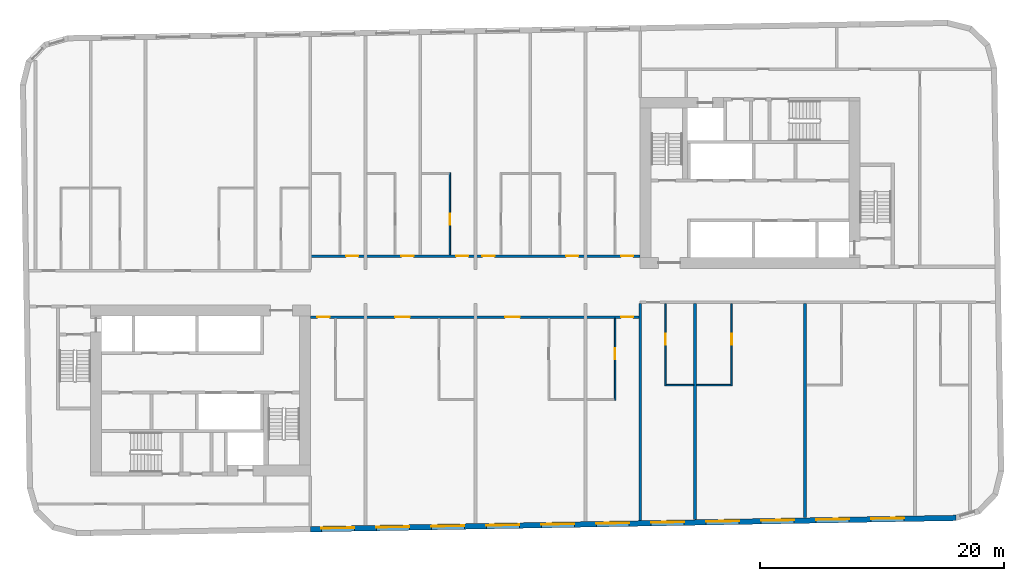
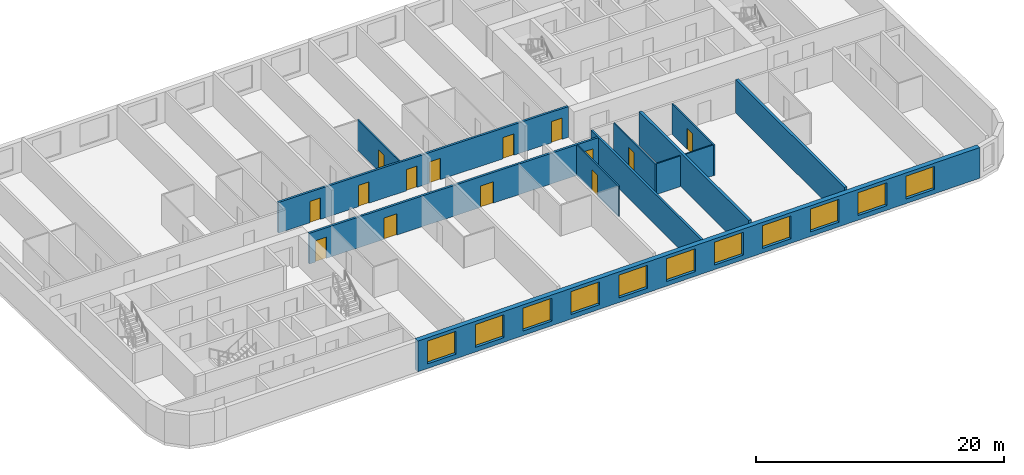
# One storey, part 4 of 11: 14 doors, 12 walls, 11 windows, 25 openings.
"""IFC4 building model written with IfcOpenShell, lengths in metres."""

from ifc_helpers import new_model, si_unit, direction, frame, frame_2d, origin, place, context, subcontext, project, spatial, rectangle, extrude, material, layer, layer_set, type_object, element, fill, save


model = new_model("IFC4")

# Units and contexts
model_context = context("Model", 3, precision=1e-05, world=origin(), true_north=direction((0.0, 1.0)))
body_context = subcontext(model_context, "Body", "Model", "MODEL_VIEW")
ifc_project = project(units=[si_unit("LENGTHUNIT", "METRE"), si_unit("AREAUNIT", "SQUARE_METRE"), si_unit("VOLUMEUNIT", "CUBIC_METRE"), si_unit("PLANEANGLEUNIT", "RADIAN"), si_unit("MASSUNIT", "GRAM", prefix="KILO")], contexts=[model_context])

# Site, building, storey
site_placement = place(None, origin())
site = spatial("IfcSite", under=ifc_project, at=site_placement, CompositionType="ELEMENT")
building_placement = place(site_placement, origin())
building = spatial("IfcBuilding", under=site, at=building_placement, Name="Kajstack Hotel Tower", CompositionType="ELEMENT")
storey_placement = place(building_placement, frame((0.0, 0.0, 224.300048828125)))
storey = spatial("IfcBuildingStorey", under=building, at=storey_placement, Name="L54", CompositionType="ELEMENT", Elevation=224.300048828125)

# Wall, openings, doors
ifc_material_1 = material(Name="Gypsum board on steel studs, mineral wool", Category="steel")
ifc_layer_1 = layer(ifc_material_1, 0.199951171875)
ifc_layer_set_1 = layer_set([ifc_layer_1], Name="Corridor wall 200")
wall_type_1 = type_object("IfcWallType", Name="Corridor wall 200", PredefinedType="PARTITIONING", material=ifc_layer_set_1)
wall_1_placement = place(storey_placement, frame((-13.5, 2.5, 0.0), z_axis=(0.0, 0.0, 1.0), x_axis=(1.0, 0.0, 0.0)))
wall_1 = element("IfcWall", 1, at=wall_1_placement, inside=storey, type_object=wall_type_1, Name="G-wall-L54-004", PredefinedType="PARTITIONING", context=body_context, shape_type="SweptSolid", body=[
    extrude(rectangle(XDim=27.0, YDim=0.199951171875, at=frame_2d((13.5, 0.0))), origin(), (0.0, 0.0, 1.0), 3.02001953125),
])
opening_1_placement = place(wall_1_placement, frame((2.925048828125, 0.0, 0.0)))
opening_1 = element("IfcOpeningElement", 2, at=opening_1_placement, cuts=wall_1, Name="Opening 54009", PredefinedType="OPENING", context=body_context, shape_type="SweptSolid", body=[
    extrude(rectangle(XDim=1.0, YDim=2.10009765625, at=frame_2d((0.5, 1.050048828125))), frame((0.0, 0.10986328125, 0.0), z_axis=(0.0, -1.0, 0.0), x_axis=(1.0, 0.0, 0.0)), (0.0, 0.0, 1.0), 0.219970703125),
])
opening_2_placement = place(wall_1_placement, frame((7.449951171875, 0.0, 0.0)))
opening_2 = element("IfcOpeningElement", 3, at=opening_2_placement, cuts=wall_1, Name="Opening 54011", PredefinedType="OPENING", context=body_context, shape_type="SweptSolid", body=[
    extrude(rectangle(XDim=1.0, YDim=2.10009765625, at=frame_2d((0.5, 1.050048828125))), frame((0.0, 0.10986328125, 0.0), z_axis=(0.0, -1.0, 0.0), x_axis=(1.0, 0.0, 0.0)), (0.0, 0.0, 1.0), 0.219970703125),
])
opening_3_placement = place(wall_1_placement, frame((11.925048828125, 0.0, 0.0)))
opening_3 = element("IfcOpeningElement", 4, at=opening_3_placement, cuts=wall_1, Name="Opening 54013", PredefinedType="OPENING", context=body_context, shape_type="SweptSolid", body=[
    extrude(rectangle(XDim=1.0, YDim=2.10009765625, at=frame_2d((0.5, 1.050048828125))), frame((0.0, 0.10986328125, 0.0), z_axis=(0.0, -1.0, 0.0), x_axis=(1.0, 0.0, 0.0)), (0.0, 0.0, 1.0), 0.219970703125),
])
opening_4_placement = place(wall_1_placement, frame((14.074951171875, 0.0, 0.0)))
opening_4 = element("IfcOpeningElement", 5, at=opening_4_placement, cuts=wall_1, Name="Opening 54015", PredefinedType="OPENING", context=body_context, shape_type="SweptSolid", body=[
    extrude(rectangle(XDim=1.0, YDim=2.10009765625, at=frame_2d((0.5, 1.050048828125))), frame((0.0, 0.10986328125, 0.0), z_axis=(0.0, -1.0, 0.0), x_axis=(1.0, 0.0, 0.0)), (0.0, 0.0, 1.0), 0.219970703125),
])
opening_5_placement = place(wall_1_placement, frame((20.925048828125, 0.0, 0.0)))
opening_5 = element("IfcOpeningElement", 6, at=opening_5_placement, cuts=wall_1, Name="Opening 54017", PredefinedType="OPENING", context=body_context, shape_type="SweptSolid", body=[
    extrude(rectangle(XDim=1.0, YDim=2.10009765625, at=frame_2d((0.5, 1.050048828125))), frame((0.0, 0.10986328125, 0.0), z_axis=(0.0, -1.0, 0.0), x_axis=(1.0, 0.0, 0.0)), (0.0, 0.0, 1.0), 0.219970703125),
])
opening_6_placement = place(wall_1_placement, frame((25.425048828125, 0.0, 0.0)))
opening_6 = element("IfcOpeningElement", 7, at=opening_6_placement, cuts=wall_1, Name="Opening 54019", PredefinedType="OPENING", context=body_context, shape_type="SweptSolid", body=[
    extrude(rectangle(XDim=1.0, YDim=2.10009765625, at=frame_2d((0.5, 1.050048828125))), frame((0.0, 0.10986328125, 0.0), z_axis=(0.0, -1.0, 0.0), x_axis=(1.0, 0.0, 0.0)), (0.0, 0.0, 1.0), 0.219970703125),
])
ifc_material_2 = material(Name="Oak veneer on timber core, fire-rated leaf", Category="wood")
door_type_1 = type_object("IfcDoorType", Name="Flat entrance door 1000", OperationType="SINGLE_SWING_LEFT", PredefinedType="DOOR", material=ifc_material_2)
door_1_placement = place(opening_1_placement, origin())
door_1 = element("IfcDoor", 8, at=door_1_placement, inside=storey, type_object=door_type_1, Name="G-door-L54-09", OperationType="SINGLE_SWING_RIGHT", OverallHeight=2.10009765625, OverallWidth=1.0, PredefinedType="DOOR", context=body_context, shape_type="SweptSolid", body=[
    extrude(rectangle(XDim=1.0, YDim=2.10009765625, at=frame_2d((0.5, 1.050048828125))), frame((0.0, 0.02490234375, 0.0), z_axis=(0.0, -1.0, 0.0), x_axis=(1.0, 0.0, 0.0)), (0.0, 0.0, 1.0), 0.050048828125),
])
fill(opening_1, door_1)
door_2_placement = place(opening_2_placement, origin())
door_2 = element("IfcDoor", 9, at=door_2_placement, inside=storey, type_object=door_type_1, Name="G-door-L54-11", OperationType="SINGLE_SWING_LEFT", OverallHeight=2.10009765625, OverallWidth=1.0, PredefinedType="DOOR", context=body_context, shape_type="SweptSolid", body=[
    extrude(rectangle(XDim=1.0, YDim=2.10009765625, at=frame_2d((0.5, 1.050048828125))), frame((0.0, 0.02490234375, 0.0), z_axis=(0.0, -1.0, 0.0), x_axis=(1.0, 0.0, 0.0)), (0.0, 0.0, 1.0), 0.050048828125),
])
fill(opening_2, door_2)
door_3_placement = place(opening_3_placement, origin())
door_3 = element("IfcDoor", 10, at=door_3_placement, inside=storey, type_object=door_type_1, Name="G-door-L54-13", OperationType="SINGLE_SWING_LEFT", OverallHeight=2.10009765625, OverallWidth=1.0, PredefinedType="DOOR", context=body_context, shape_type="SweptSolid", body=[
    extrude(rectangle(XDim=1.0, YDim=2.10009765625, at=frame_2d((0.5, 1.050048828125))), frame((0.0, 0.02490234375, 0.0), z_axis=(0.0, -1.0, 0.0), x_axis=(1.0, 0.0, 0.0)), (0.0, 0.0, 1.0), 0.050048828125),
])
fill(opening_3, door_3)
door_4_placement = place(opening_4_placement, origin())
door_4 = element("IfcDoor", 11, at=door_4_placement, inside=storey, type_object=door_type_1, Name="G-door-L54-15", OperationType="SINGLE_SWING_RIGHT", OverallHeight=2.10009765625, OverallWidth=1.0, PredefinedType="DOOR", context=body_context, shape_type="SweptSolid", body=[
    extrude(rectangle(XDim=1.0, YDim=2.10009765625, at=frame_2d((0.5, 1.050048828125))), frame((0.0, 0.02490234375, 0.0), z_axis=(0.0, -1.0, 0.0), x_axis=(1.0, 0.0, 0.0)), (0.0, 0.0, 1.0), 0.050048828125),
])
fill(opening_4, door_4)
door_5_placement = place(opening_5_placement, origin())
door_5 = element("IfcDoor", 12, at=door_5_placement, inside=storey, type_object=door_type_1, Name="G-door-L54-17", OperationType="SINGLE_SWING_RIGHT", OverallHeight=2.10009765625, OverallWidth=1.0, PredefinedType="DOOR", context=body_context, shape_type="SweptSolid", body=[
    extrude(rectangle(XDim=1.0, YDim=2.10009765625, at=frame_2d((0.5, 1.050048828125))), frame((0.0, 0.02490234375, 0.0), z_axis=(0.0, -1.0, 0.0), x_axis=(1.0, 0.0, 0.0)), (0.0, 0.0, 1.0), 0.050048828125),
])
fill(opening_5, door_5)
door_6_placement = place(opening_6_placement, origin())
door_6 = element("IfcDoor", 13, at=door_6_placement, inside=storey, type_object=door_type_1, Name="G-door-L54-19", OperationType="SINGLE_SWING_LEFT", OverallHeight=2.10009765625, OverallWidth=1.0, PredefinedType="DOOR", context=body_context, shape_type="SweptSolid", body=[
    extrude(rectangle(XDim=1.0, YDim=2.10009765625, at=frame_2d((0.5, 1.050048828125))), frame((0.0, 0.02490234375, 0.0), z_axis=(0.0, -1.0, 0.0), x_axis=(1.0, 0.0, 0.0)), (0.0, 0.0, 1.0), 0.050048828125),
])
fill(opening_6, door_6)

wall_2_placement = place(storey_placement, frame((-13.5, -2.5, 0.0), z_axis=(0.0, 0.0, 1.0), x_axis=(1.0, 0.0, 0.0)))
wall_2 = element("IfcWall", 14, at=wall_2_placement, inside=storey, type_object=wall_type_1, Name="G-wall-L54-029", PredefinedType="PARTITIONING", context=body_context, shape_type="SweptSolid", body=[
    extrude(rectangle(XDim=27.0, YDim=0.199951171875, at=frame_2d((13.5, 0.0))), origin(), (0.0, 0.0, 1.0), 3.02001953125),
])
opening_7_placement = place(wall_2_placement, frame((0.574951171875, 0.0, 0.0)))
opening_7 = element("IfcOpeningElement", 15, at=opening_7_placement, cuts=wall_2, Name="Opening 54021", PredefinedType="OPENING", context=body_context, shape_type="SweptSolid", body=[
    extrude(rectangle(XDim=1.0, YDim=2.10009765625, at=frame_2d((0.5, 1.050048828125))), frame((0.0, 0.10986328125, 0.0), z_axis=(0.0, -1.0, 0.0), x_axis=(1.0, 0.0, 0.0)), (0.0, 0.0, 1.0), 0.219970703125),
])
opening_8_placement = place(wall_2_placement, frame((6.93798828125, 0.0, 0.0)))
opening_8 = element("IfcOpeningElement", 16, at=opening_8_placement, cuts=wall_2, Name="Opening 54023", PredefinedType="OPENING", context=body_context, shape_type="SweptSolid", body=[
    extrude(rectangle(XDim=1.199951171875, YDim=2.10009765625, at=frame_2d((0.60009765625, 1.050048828125))), frame((0.0, 0.10986328125, 0.0), z_axis=(0.0, -1.0, 0.0), x_axis=(1.0, 0.0, 0.0)), (0.0, 0.0, 1.0), 0.219970703125),
])
opening_9_placement = place(wall_2_placement, frame((15.93798828125, 0.0, 0.0)))
opening_9 = element("IfcOpeningElement", 17, at=opening_9_placement, cuts=wall_2, Name="Opening 54025", PredefinedType="OPENING", context=body_context, shape_type="SweptSolid", body=[
    extrude(rectangle(XDim=1.199951171875, YDim=2.10009765625, at=frame_2d((0.60009765625, 1.050048828125))), frame((0.0, 0.10986328125, 0.0), z_axis=(0.0, -1.0, 0.0), x_axis=(1.0, 0.0, 0.0)), (0.0, 0.0, 1.0), 0.219970703125),
])
opening_10_placement = place(wall_2_placement, frame((25.425048828125, 0.0, 0.0)))
opening_10 = element("IfcOpeningElement", 18, at=opening_10_placement, cuts=wall_2, Name="Opening 54027", PredefinedType="OPENING", context=body_context, shape_type="SweptSolid", body=[
    extrude(rectangle(XDim=1.0, YDim=2.10009765625, at=frame_2d((0.5, 1.050048828125))), frame((0.0, 0.10986328125, 0.0), z_axis=(0.0, -1.0, 0.0), x_axis=(1.0, 0.0, 0.0)), (0.0, 0.0, 1.0), 0.219970703125),
])
door_7_placement = place(opening_7_placement, origin())
door_7 = element("IfcDoor", 19, at=door_7_placement, inside=storey, type_object=door_type_1, Name="G-door-L54-21", OperationType="SINGLE_SWING_LEFT", OverallHeight=2.10009765625, OverallWidth=1.0, PredefinedType="DOOR", context=body_context, shape_type="SweptSolid", body=[
    extrude(rectangle(XDim=1.0, YDim=2.10009765625, at=frame_2d((0.5, 1.050048828125))), frame((0.0, 0.02490234375, 0.0), z_axis=(0.0, -1.0, 0.0), x_axis=(1.0, 0.0, 0.0)), (0.0, 0.0, 1.0), 0.050048828125),
])
fill(opening_7, door_7)
door_8_placement = place(opening_10_placement, origin())
door_8 = element("IfcDoor", 20, at=door_8_placement, inside=storey, type_object=door_type_1, Name="G-door-L54-27", OperationType="SINGLE_SWING_RIGHT", OverallHeight=2.10009765625, OverallWidth=1.0, PredefinedType="DOOR", context=body_context, shape_type="SweptSolid", body=[
    extrude(rectangle(XDim=1.0, YDim=2.10009765625, at=frame_2d((0.5, 1.050048828125))), frame((0.0, 0.02490234375, 0.0), z_axis=(0.0, -1.0, 0.0), x_axis=(1.0, 0.0, 0.0)), (0.0, 0.0, 1.0), 0.050048828125),
])
fill(opening_10, door_8)
door_type_2 = type_object("IfcDoorType", Name="Flat entrance door 1200", OperationType="SINGLE_SWING_LEFT", PredefinedType="DOOR", material=ifc_material_2)
door_9_placement = place(opening_8_placement, origin())
door_9 = element("IfcDoor", 21, at=door_9_placement, inside=storey, type_object=door_type_2, Name="G-door-L54-23", OperationType="SINGLE_SWING_RIGHT", OverallHeight=2.10009765625, OverallWidth=1.199951171875, PredefinedType="DOOR", context=body_context, shape_type="SweptSolid", body=[
    extrude(rectangle(XDim=1.199951171875, YDim=2.10009765625, at=frame_2d((0.60009765625, 1.050048828125))), frame((0.0, 0.02490234375, 0.0), z_axis=(0.0, -1.0, 0.0), x_axis=(1.0, 0.0, 0.0)), (0.0, 0.0, 1.0), 0.050048828125),
])
fill(opening_8, door_9)
door_10_placement = place(opening_9_placement, origin())
door_10 = element("IfcDoor", 22, at=door_10_placement, inside=storey, type_object=door_type_2, Name="G-door-L54-25", OperationType="SINGLE_SWING_RIGHT", OverallHeight=2.10009765625, OverallWidth=1.199951171875, PredefinedType="DOOR", context=body_context, shape_type="SweptSolid", body=[
    extrude(rectangle(XDim=1.199951171875, YDim=2.10009765625, at=frame_2d((0.60009765625, 1.050048828125))), frame((0.0, 0.02490234375, 0.0), z_axis=(0.0, -1.0, 0.0), x_axis=(1.0, 0.0, 0.0)), (0.0, 0.0, 1.0), 0.050048828125),
])
fill(opening_9, door_10)

# Wall
ifc_material_3 = material(Name="Twin-frame gypsum board on steel studs, mineral wool", Category="steel")
ifc_layer_2 = layer(ifc_material_3, 0.199951171875)
ifc_layer_set_2 = layer_set([ifc_layer_2], Name="Demising wall 200")
wall_type_2 = type_object("IfcWallType", Name="Demising wall 200", PredefinedType="PARTITIONING", material=ifc_layer_set_2)
wall_3_placement = place(storey_placement, frame((13.5, -19.169921875, 0.0), z_axis=(0.0, 0.0, 1.0), x_axis=(0.0, 1.0, 0.0)))
element("IfcWall", 23, at=wall_3_placement, inside=storey, type_object=wall_type_2, Name="G-wall-L54-037", PredefinedType="PARTITIONING", context=body_context, shape_type="SweptSolid", body=[
    extrude(rectangle(XDim=17.77001953125, YDim=0.199951171875, at=frame_2d((8.885009765625, 0.0))), origin(), (0.0, 0.0, 1.0), 3.02001953125),
])

# Wall, openings, windows
ifc_material_4 = material(Name="Terracotta-faced brick masonry", Category="masonry")
ifc_layer_3 = layer(ifc_material_4, 0.449951171875)
ifc_layer_set_3 = layer_set([ifc_layer_3], Name="EW-TERRA")
wall_type_3 = type_object("IfcWallType", Name="EW-TERRA", PredefinedType="SOLIDWALL", material=ifc_layer_set_3)
wall_4_placement = place(storey_placement, frame((-13.50390625, -19.8662109375, 0.0), z_axis=(0.0, 0.0, 1.0), x_axis=(0.999847672978, 0.017453676992, 0.0)))
wall_4 = element("IfcWall", 24, at=wall_4_placement, inside=storey, type_object=wall_type_3, Name="E-wall-L54-04-02", PredefinedType="SOLIDWALL", context=body_context, shape_type="SweptSolid", body=[
    extrude(rectangle(XDim=52.8603515625, YDim=0.449951171875, at=frame_2d((26.43017578125, 0.0))), origin(), (0.0, 0.0, 1.0), 3.02001953125),
])
opening_11_placement = place(wall_4_placement, frame((0.900390625, 0.0, 0.449951171875)))
opening_11 = element("IfcOpeningElement", 25, at=opening_11_placement, cuts=wall_4, Name="Opening W1", PredefinedType="OPENING", context=body_context, shape_type="SweptSolid", body=[
    extrude(rectangle(XDim=2.699951171875, YDim=2.25, at=frame_2d((1.35009765625, 1.125))), frame((0.0, 0.23486328125, 0.0), z_axis=(0.0, -1.0, 0.0), x_axis=(1.0, 0.0, 0.0)), (0.0, 0.0, 1.0), 0.469970703125),
])
opening_12_placement = place(wall_4_placement, frame((5.40087890625, 0.0, 0.449951171875)))
opening_12 = element("IfcOpeningElement", 26, at=opening_12_placement, cuts=wall_4, Name="Opening W1", PredefinedType="OPENING", context=body_context, shape_type="SweptSolid", body=[
    extrude(rectangle(XDim=2.699951171875, YDim=2.25, at=frame_2d((1.35009765625, 1.125))), frame((0.0, 0.23486328125, 0.0), z_axis=(0.0, -1.0, 0.0), x_axis=(1.0, 0.0, 0.0)), (0.0, 0.0, 1.0), 0.469970703125),
])
opening_13_placement = place(wall_4_placement, frame((9.901611328125, 0.0, 0.449951171875)))
opening_13 = element("IfcOpeningElement", 27, at=opening_13_placement, cuts=wall_4, Name="Opening W1", PredefinedType="OPENING", context=body_context, shape_type="SweptSolid", body=[
    extrude(rectangle(XDim=2.699951171875, YDim=2.25, at=frame_2d((1.35009765625, 1.125))), frame((0.0, 0.23486328125, 0.0), z_axis=(0.0, -1.0, 0.0), x_axis=(1.0, 0.0, 0.0)), (0.0, 0.0, 1.0), 0.469970703125),
])
opening_14_placement = place(wall_4_placement, frame((14.40234375, 0.0, 0.449951171875)))
opening_14 = element("IfcOpeningElement", 28, at=opening_14_placement, cuts=wall_4, Name="Opening W1", PredefinedType="OPENING", context=body_context, shape_type="SweptSolid", body=[
    extrude(rectangle(XDim=2.699951171875, YDim=2.25, at=frame_2d((1.35009765625, 1.125))), frame((0.0, 0.23486328125, 0.0), z_axis=(0.0, -1.0, 0.0), x_axis=(1.0, 0.0, 0.0)), (0.0, 0.0, 1.0), 0.469970703125),
])
opening_15_placement = place(wall_4_placement, frame((18.903076171875, 0.0, 0.449951171875)))
opening_15 = element("IfcOpeningElement", 29, at=opening_15_placement, cuts=wall_4, Name="Opening W1", PredefinedType="OPENING", context=body_context, shape_type="SweptSolid", body=[
    extrude(rectangle(XDim=2.699951171875, YDim=2.25, at=frame_2d((1.35009765625, 1.125))), frame((0.0, 0.23486328125, 0.0), z_axis=(0.0, -1.0, 0.0), x_axis=(1.0, 0.0, 0.0)), (0.0, 0.0, 1.0), 0.469970703125),
])
opening_16_placement = place(wall_4_placement, frame((23.40380859375, 0.0, 0.449951171875)))
opening_16 = element("IfcOpeningElement", 30, at=opening_16_placement, cuts=wall_4, Name="Opening W1", PredefinedType="OPENING", context=body_context, shape_type="SweptSolid", body=[
    extrude(rectangle(XDim=2.699951171875, YDim=2.25, at=frame_2d((1.35009765625, 1.125))), frame((0.0, 0.23486328125, 0.0), z_axis=(0.0, -1.0, 0.0), x_axis=(1.0, 0.0, 0.0)), (0.0, 0.0, 1.0), 0.469970703125),
])
opening_17_placement = place(wall_4_placement, frame((27.904296875, 0.0, 0.449951171875)))
opening_17 = element("IfcOpeningElement", 31, at=opening_17_placement, cuts=wall_4, Name="Opening W1", PredefinedType="OPENING", context=body_context, shape_type="SweptSolid", body=[
    extrude(rectangle(XDim=2.699951171875, YDim=2.25, at=frame_2d((1.35009765625, 1.125))), frame((0.0, 0.23486328125, 0.0), z_axis=(0.0, -1.0, 0.0), x_axis=(1.0, 0.0, 0.0)), (0.0, 0.0, 1.0), 0.469970703125),
])
opening_18_placement = place(wall_4_placement, frame((32.405029296875, 0.0, 0.449951171875)))
opening_18 = element("IfcOpeningElement", 32, at=opening_18_placement, cuts=wall_4, Name="Opening W1", PredefinedType="OPENING", context=body_context, shape_type="SweptSolid", body=[
    extrude(rectangle(XDim=2.699951171875, YDim=2.25, at=frame_2d((1.35009765625, 1.125))), frame((0.0, 0.23486328125, 0.0), z_axis=(0.0, -1.0, 0.0), x_axis=(1.0, 0.0, 0.0)), (0.0, 0.0, 1.0), 0.469970703125),
])
opening_19_placement = place(wall_4_placement, frame((36.90576171875, 0.0, 0.449951171875)))
opening_19 = element("IfcOpeningElement", 33, at=opening_19_placement, cuts=wall_4, Name="Opening W1", PredefinedType="OPENING", context=body_context, shape_type="SweptSolid", body=[
    extrude(rectangle(XDim=2.699951171875, YDim=2.25, at=frame_2d((1.35009765625, 1.125))), frame((0.0, 0.23486328125, 0.0), z_axis=(0.0, -1.0, 0.0), x_axis=(1.0, 0.0, 0.0)), (0.0, 0.0, 1.0), 0.469970703125),
])
opening_20_placement = place(wall_4_placement, frame((41.406494140625, 0.0, 0.449951171875)))
opening_20 = element("IfcOpeningElement", 34, at=opening_20_placement, cuts=wall_4, Name="Opening W1", PredefinedType="OPENING", context=body_context, shape_type="SweptSolid", body=[
    extrude(rectangle(XDim=2.699951171875, YDim=2.25, at=frame_2d((1.35009765625, 1.125))), frame((0.0, 0.23486328125, 0.0), z_axis=(0.0, -1.0, 0.0), x_axis=(1.0, 0.0, 0.0)), (0.0, 0.0, 1.0), 0.469970703125),
])
opening_21_placement = place(wall_4_placement, frame((45.9072265625, 0.0, 0.449951171875)))
opening_21 = element("IfcOpeningElement", 35, at=opening_21_placement, cuts=wall_4, Name="Opening W1", PredefinedType="OPENING", context=body_context, shape_type="SweptSolid", body=[
    extrude(rectangle(XDim=2.699951171875, YDim=2.25, at=frame_2d((1.35009765625, 1.125))), frame((0.0, 0.23486328125, 0.0), z_axis=(0.0, -1.0, 0.0), x_axis=(1.0, 0.0, 0.0)), (0.0, 0.0, 1.0), 0.469970703125),
])
ifc_material_5 = material(Name="Timber-aluminium window, triple glazed", Category="wood")
window_type = type_object("IfcWindowType", Name="WG1", PartitioningType="SINGLE_PANEL", PredefinedType="WINDOW", material=ifc_material_5)
window_1_placement = place(opening_11_placement, origin())
window_1 = element("IfcWindow", 36, at=window_1_placement, inside=storey, type_object=window_type, Name="Window W1 L54-04", OverallHeight=2.25, OverallWidth=2.699951171875, PartitioningType="SINGLE_PANEL", PredefinedType="WINDOW", context=body_context, shape_type="SweptSolid", body=[
    extrude(rectangle(XDim=2.699951171875, YDim=2.25, at=frame_2d((1.35009765625, 1.125))), frame((0.0, 0.090087890625, 0.0), z_axis=(0.0, -1.0, 0.0), x_axis=(1.0, 0.0, 0.0)), (0.0, 0.0, 1.0), 0.06005859375),
])
fill(opening_11, window_1)
window_2_placement = place(opening_12_placement, origin())
window_2 = element("IfcWindow", 37, at=window_2_placement, inside=storey, type_object=window_type, Name="Window W1 L54-04", OverallHeight=2.25, OverallWidth=2.699951171875, PartitioningType="SINGLE_PANEL", PredefinedType="WINDOW", context=body_context, shape_type="SweptSolid", body=[
    extrude(rectangle(XDim=2.699951171875, YDim=2.25, at=frame_2d((1.35009765625, 1.125))), frame((0.0, 0.090087890625, 0.0), z_axis=(0.0, -1.0, 0.0), x_axis=(1.0, 0.0, 0.0)), (0.0, 0.0, 1.0), 0.06005859375),
])
fill(opening_12, window_2)
window_3_placement = place(opening_13_placement, origin())
window_3 = element("IfcWindow", 38, at=window_3_placement, inside=storey, type_object=window_type, Name="Window W1 L54-04", OverallHeight=2.25, OverallWidth=2.699951171875, PartitioningType="SINGLE_PANEL", PredefinedType="WINDOW", context=body_context, shape_type="SweptSolid", body=[
    extrude(rectangle(XDim=2.699951171875, YDim=2.25, at=frame_2d((1.35009765625, 1.125))), frame((0.0, 0.090087890625, 0.0), z_axis=(0.0, -1.0, 0.0), x_axis=(1.0, 0.0, 0.0)), (0.0, 0.0, 1.0), 0.06005859375),
])
fill(opening_13, window_3)
window_4_placement = place(opening_14_placement, origin())
window_4 = element("IfcWindow", 39, at=window_4_placement, inside=storey, type_object=window_type, Name="Window W1 L54-04", OverallHeight=2.25, OverallWidth=2.699951171875, PartitioningType="SINGLE_PANEL", PredefinedType="WINDOW", context=body_context, shape_type="SweptSolid", body=[
    extrude(rectangle(XDim=2.699951171875, YDim=2.25, at=frame_2d((1.35009765625, 1.125))), frame((0.0, 0.090087890625, 0.0), z_axis=(0.0, -1.0, 0.0), x_axis=(1.0, 0.0, 0.0)), (0.0, 0.0, 1.0), 0.06005859375),
])
fill(opening_14, window_4)
window_5_placement = place(opening_15_placement, origin())
window_5 = element("IfcWindow", 40, at=window_5_placement, inside=storey, type_object=window_type, Name="Window W1 L54-04", OverallHeight=2.25, OverallWidth=2.699951171875, PartitioningType="SINGLE_PANEL", PredefinedType="WINDOW", context=body_context, shape_type="SweptSolid", body=[
    extrude(rectangle(XDim=2.699951171875, YDim=2.25, at=frame_2d((1.35009765625, 1.125))), frame((0.0, 0.090087890625, 0.0), z_axis=(0.0, -1.0, 0.0), x_axis=(1.0, 0.0, 0.0)), (0.0, 0.0, 1.0), 0.06005859375),
])
fill(opening_15, window_5)
window_6_placement = place(opening_16_placement, origin())
window_6 = element("IfcWindow", 41, at=window_6_placement, inside=storey, type_object=window_type, Name="Window W1 L54-04", OverallHeight=2.25, OverallWidth=2.699951171875, PartitioningType="SINGLE_PANEL", PredefinedType="WINDOW", context=body_context, shape_type="SweptSolid", body=[
    extrude(rectangle(XDim=2.699951171875, YDim=2.25, at=frame_2d((1.35009765625, 1.125))), frame((0.0, 0.090087890625, 0.0), z_axis=(0.0, -1.0, 0.0), x_axis=(1.0, 0.0, 0.0)), (0.0, 0.0, 1.0), 0.06005859375),
])
fill(opening_16, window_6)
window_7_placement = place(opening_17_placement, origin())
window_7 = element("IfcWindow", 42, at=window_7_placement, inside=storey, type_object=window_type, Name="Window W1 L54-04", OverallHeight=2.25, OverallWidth=2.699951171875, PartitioningType="SINGLE_PANEL", PredefinedType="WINDOW", context=body_context, shape_type="SweptSolid", body=[
    extrude(rectangle(XDim=2.699951171875, YDim=2.25, at=frame_2d((1.35009765625, 1.125))), frame((0.0, 0.090087890625, 0.0), z_axis=(0.0, -1.0, 0.0), x_axis=(1.0, 0.0, 0.0)), (0.0, 0.0, 1.0), 0.06005859375),
])
fill(opening_17, window_7)
window_8_placement = place(opening_18_placement, origin())
window_8 = element("IfcWindow", 43, at=window_8_placement, inside=storey, type_object=window_type, Name="Window W1 L54-04", OverallHeight=2.25, OverallWidth=2.699951171875, PartitioningType="SINGLE_PANEL", PredefinedType="WINDOW", context=body_context, shape_type="SweptSolid", body=[
    extrude(rectangle(XDim=2.699951171875, YDim=2.25, at=frame_2d((1.35009765625, 1.125))), frame((0.0, 0.090087890625, 0.0), z_axis=(0.0, -1.0, 0.0), x_axis=(1.0, 0.0, 0.0)), (0.0, 0.0, 1.0), 0.06005859375),
])
fill(opening_18, window_8)
window_9_placement = place(opening_19_placement, origin())
window_9 = element("IfcWindow", 44, at=window_9_placement, inside=storey, type_object=window_type, Name="Window W1 L54-04", OverallHeight=2.25, OverallWidth=2.699951171875, PartitioningType="SINGLE_PANEL", PredefinedType="WINDOW", context=body_context, shape_type="SweptSolid", body=[
    extrude(rectangle(XDim=2.699951171875, YDim=2.25, at=frame_2d((1.35009765625, 1.125))), frame((0.0, 0.090087890625, 0.0), z_axis=(0.0, -1.0, 0.0), x_axis=(1.0, 0.0, 0.0)), (0.0, 0.0, 1.0), 0.06005859375),
])
fill(opening_19, window_9)
window_10_placement = place(opening_20_placement, origin())
window_10 = element("IfcWindow", 45, at=window_10_placement, inside=storey, type_object=window_type, Name="Window W1 L54-04", OverallHeight=2.25, OverallWidth=2.699951171875, PartitioningType="SINGLE_PANEL", PredefinedType="WINDOW", context=body_context, shape_type="SweptSolid", body=[
    extrude(rectangle(XDim=2.699951171875, YDim=2.25, at=frame_2d((1.35009765625, 1.125))), frame((0.0, 0.090087890625, 0.0), z_axis=(0.0, -1.0, 0.0), x_axis=(1.0, 0.0, 0.0)), (0.0, 0.0, 1.0), 0.06005859375),
])
fill(opening_20, window_10)
window_11_placement = place(opening_21_placement, origin())
window_11 = element("IfcWindow", 46, at=window_11_placement, inside=storey, type_object=window_type, Name="Window W1 L54-04", OverallHeight=2.25, OverallWidth=2.699951171875, PartitioningType="SINGLE_PANEL", PredefinedType="WINDOW", context=body_context, shape_type="SweptSolid", body=[
    extrude(rectangle(XDim=2.699951171875, YDim=2.25, at=frame_2d((1.35009765625, 1.125))), frame((0.0, 0.090087890625, 0.0), z_axis=(0.0, -1.0, 0.0), x_axis=(1.0, 0.0, 0.0)), (0.0, 0.0, 1.0), 0.06005859375),
])
fill(opening_21, window_11)

# Wall, opening, door
ifc_material_6 = material(Name="Gypsum board and tiled backer on steel studs", Category="steel")
ifc_layer_4 = layer(ifc_material_6, 0.125)
ifc_layer_set_4 = layer_set([ifc_layer_4], Name="En-suite wall 125")
wall_type_4 = type_object("IfcWallType", Name="En-suite wall 125", PredefinedType="PARTITIONING", material=ifc_layer_set_4)
wall_5_placement = place(storey_placement, frame((-2.0869140625, 2.60009765625, 0.0), z_axis=(0.0, 0.0, 1.0), x_axis=(0.0, 1.0, 0.0)))
wall_5 = element("IfcWall", 47, at=wall_5_placement, inside=storey, type_object=wall_type_4, Name="G-wall-L54-020", PredefinedType="PARTITIONING", context=body_context, shape_type="SweptSolid", body=[
    extrude(rectangle(XDim=6.724853515625, YDim=0.125, at=frame_2d((3.3623046875, 0.0))), origin(), (0.0, 0.0, 1.0), 3.02001953125),
])
opening_22_placement = place(wall_5_placement, frame((2.449951171875, 0.0, 0.0)))
opening_22 = element("IfcOpeningElement", 48, at=opening_22_placement, cuts=wall_5, Name="Opening 54014", PredefinedType="OPENING", context=body_context, shape_type="SweptSolid", body=[
    extrude(rectangle(XDim=0.89990234375, YDim=2.10009765625, at=frame_2d((0.449951171875, 1.050048828125))), frame((0.0, 0.072509765625, 0.0), z_axis=(0.0, -1.0, 0.0), x_axis=(1.0, 0.0, 0.0)), (0.0, 0.0, 1.0), 0.14501953125),
])
ifc_material_7 = material(Name="Painted timber door leaf", Category="wood")
door_type_3 = type_object("IfcDoorType", Name="Room door 900", OperationType="SINGLE_SWING_LEFT", PredefinedType="DOOR", material=ifc_material_7)
door_11_placement = place(opening_22_placement, origin())
door_11 = element("IfcDoor", 49, at=door_11_placement, inside=storey, type_object=door_type_3, Name="G-door-L54-14", OperationType="SINGLE_SWING_LEFT", OverallHeight=2.10009765625, OverallWidth=0.89990234375, PredefinedType="DOOR", context=body_context, shape_type="SweptSolid", body=[
    extrude(rectangle(XDim=0.89990234375, YDim=2.10009765625, at=frame_2d((0.449951171875, 1.050048828125))), frame((0.0, 0.02490234375, 0.0), z_axis=(0.0, -1.0, 0.0), x_axis=(1.0, 0.0, 0.0)), (0.0, 0.0, 1.0), 0.050048828125),
])
fill(opening_22, door_11)

wall_6_placement = place(storey_placement, frame((11.43798828125, -9.324951171875, 0.0), z_axis=(0.0, 0.0, 1.0), x_axis=(0.0, 1.0, 0.0)))
wall_6 = element("IfcWall", 50, at=wall_6_placement, inside=storey, type_object=wall_type_4, Name="G-wall-L54-038", PredefinedType="PARTITIONING", context=body_context, shape_type="SweptSolid", body=[
    extrude(rectangle(XDim=6.724853515625, YDim=0.125, at=frame_2d((3.3623046875, 0.0))), origin(), (0.0, 0.0, 1.0), 3.02001953125),
])
opening_23_placement = place(wall_6_placement, frame((3.375, 0.0, 0.0)))
opening_23 = element("IfcOpeningElement", 51, at=opening_23_placement, cuts=wall_6, Name="Opening 54028", PredefinedType="OPENING", context=body_context, shape_type="SweptSolid", body=[
    extrude(rectangle(XDim=0.89990234375, YDim=2.10009765625, at=frame_2d((0.449951171875, 1.050048828125))), frame((0.0, 0.072509765625, 0.0), z_axis=(0.0, -1.0, 0.0), x_axis=(1.0, 0.0, 0.0)), (0.0, 0.0, 1.0), 0.14501953125),
])
door_12_placement = place(opening_23_placement, origin())
door_12 = element("IfcDoor", 52, at=door_12_placement, inside=storey, type_object=door_type_3, Name="G-door-L54-28", OperationType="SINGLE_SWING_LEFT", OverallHeight=2.10009765625, OverallWidth=0.89990234375, PredefinedType="DOOR", context=body_context, shape_type="SweptSolid", body=[
    extrude(rectangle(XDim=0.89990234375, YDim=2.10009765625, at=frame_2d((0.449951171875, 1.050048828125))), frame((0.0, 0.02490234375, 0.0), z_axis=(0.0, -1.0, 0.0), x_axis=(1.0, 0.0, 0.0)), (0.0, 0.0, 1.0), 0.050048828125),
])
fill(opening_23, door_12)

wall_7_placement = place(storey_placement, frame((15.56201171875, -8.125, 0.0), z_axis=(0.0, 0.0, 1.0), x_axis=(0.0, 1.0, 0.0)))
wall_7 = element("IfcWall", 53, at=wall_7_placement, inside=storey, type_object=wall_type_4, Name="G-wall-L54-040", PredefinedType="PARTITIONING", context=body_context, shape_type="SweptSolid", body=[
    extrude(rectangle(XDim=6.72509765625, YDim=0.125, at=frame_2d((3.362548828125, 0.0))), origin(), (0.0, 0.0, 1.0), 3.02001953125),
])
opening_24_placement = place(wall_7_placement, frame((3.375, 0.0, 0.0)))
opening_24 = element("IfcOpeningElement", 54, at=opening_24_placement, cuts=wall_7, Name="Opening 54030", PredefinedType="OPENING", context=body_context, shape_type="SweptSolid", body=[
    extrude(rectangle(XDim=0.89990234375, YDim=2.10009765625, at=frame_2d((0.449951171875, 1.050048828125))), frame((0.0, 0.072509765625, 0.0), z_axis=(0.0, -1.0, 0.0), x_axis=(1.0, 0.0, 0.0)), (0.0, 0.0, 1.0), 0.14501953125),
])
door_13_placement = place(opening_24_placement, origin())
door_13 = element("IfcDoor", 55, at=door_13_placement, inside=storey, type_object=door_type_3, Name="G-door-L54-30", OperationType="SINGLE_SWING_RIGHT", OverallHeight=2.10009765625, OverallWidth=0.89990234375, PredefinedType="DOOR", context=body_context, shape_type="SweptSolid", body=[
    extrude(rectangle(XDim=0.89990234375, YDim=2.10009765625, at=frame_2d((0.449951171875, 1.050048828125))), frame((0.0, 0.02490234375, 0.0), z_axis=(0.0, -1.0, 0.0), x_axis=(1.0, 0.0, 0.0)), (0.0, 0.0, 1.0), 0.050048828125),
])
fill(opening_24, door_13)

# Wall
wall_8_placement = place(storey_placement, frame((15.625, -8.06201171875, 0.0), z_axis=(0.0, 0.0, 1.0), x_axis=(1.0, 0.0, 0.0)))
element("IfcWall", 56, at=wall_8_placement, inside=storey, type_object=wall_type_4, Name="G-wall-L54-041", PredefinedType="PARTITIONING", context=body_context, shape_type="SweptSolid", body=[
    extrude(rectangle(XDim=2.25, YDim=0.125, at=frame_2d((1.125, 0.0))), origin(), (0.0, 0.0, 1.0), 3.02001953125),
])

# Wall, opening, door
wall_9_placement = place(storey_placement, frame((20.988037109375, -8.125, 0.0), z_axis=(0.0, 0.0, 1.0), x_axis=(0.0, 1.0, 0.0)))
wall_9 = element("IfcWall", 57, at=wall_9_placement, inside=storey, type_object=wall_type_4, Name="G-wall-L54-042", PredefinedType="PARTITIONING", context=body_context, shape_type="SweptSolid", body=[
    extrude(rectangle(XDim=6.72509765625, YDim=0.125, at=frame_2d((3.362548828125, 0.0))), origin(), (0.0, 0.0, 1.0), 3.02001953125),
])
opening_25_placement = place(wall_9_placement, frame((3.375, 0.0, 0.0)))
opening_25 = element("IfcOpeningElement", 58, at=opening_25_placement, cuts=wall_9, Name="Opening 54032", PredefinedType="OPENING", context=body_context, shape_type="SweptSolid", body=[
    extrude(rectangle(XDim=0.89990234375, YDim=2.10009765625, at=frame_2d((0.449951171875, 1.050048828125))), frame((0.0, 0.072509765625, 0.0), z_axis=(0.0, -1.0, 0.0), x_axis=(1.0, 0.0, 0.0)), (0.0, 0.0, 1.0), 0.14501953125),
])
door_14_placement = place(opening_25_placement, origin())
door_14 = element("IfcDoor", 59, at=door_14_placement, inside=storey, type_object=door_type_3, Name="G-door-L54-32", OperationType="SINGLE_SWING_LEFT", OverallHeight=2.10009765625, OverallWidth=0.89990234375, PredefinedType="DOOR", context=body_context, shape_type="SweptSolid", body=[
    extrude(rectangle(XDim=0.89990234375, YDim=2.10009765625, at=frame_2d((0.449951171875, 1.050048828125))), frame((0.0, 0.02490234375, 0.0), z_axis=(0.0, -1.0, 0.0), x_axis=(1.0, 0.0, 0.0)), (0.0, 0.0, 1.0), 0.050048828125),
])
fill(opening_25, door_14)

# Walls
wall_10_placement = place(storey_placement, frame((18.125, -8.06201171875, 0.0), z_axis=(0.0, 0.0, 1.0), x_axis=(1.0, 0.0, 0.0)))
element("IfcWall", 60, at=wall_10_placement, inside=storey, type_object=wall_type_4, Name="G-wall-L54-043", PredefinedType="PARTITIONING", context=body_context, shape_type="SweptSolid", body=[
    extrude(rectangle(XDim=2.800048828125, YDim=0.125, at=frame_2d((1.39990234375, 0.0))), origin(), (0.0, 0.0, 1.0), 3.02001953125),
])
ifc_material_8 = material(Name="Concrete C45/55", Category="concrete")
ifc_layer_5 = layer(ifc_material_8, 0.25)
ifc_layer_set_5 = layer_set([ifc_layer_5], Name="RC cross wall 250 C45/55")
wall_type_5 = type_object("IfcWallType", Name="RC cross wall 250 C45/55", PredefinedType="SHEAR", material=ifc_layer_set_5)
wall_11_placement = place(storey_placement, frame((18.0, -19.0791015625, 0.0), z_axis=(0.0, 0.0, 1.0), x_axis=(0.0, 1.0, 0.0)))
element("IfcWall", 61, at=wall_11_placement, inside=storey, type_object=wall_type_5, Name="S-wall-L54-10", PredefinedType="SHEAR", context=body_context, shape_type="SweptSolid", body=[
    extrude(rectangle(XDim=17.67919921875, YDim=0.25, at=frame_2d((8.839599609375, 0.0))), origin(), (0.0, 0.0, 1.0), 3.300048828125),
])
wall_12_placement = place(storey_placement, frame((27.0, -18.922119140625, 0.0), z_axis=(0.0, 0.0, 1.0), x_axis=(0.0, 1.0, 0.0)))
element("IfcWall", 62, at=wall_12_placement, inside=storey, type_object=wall_type_5, Name="S-wall-L54-11", PredefinedType="SHEAR", context=body_context, shape_type="SweptSolid", body=[
    extrude(rectangle(XDim=17.522216796875, YDim=0.25, at=frame_2d((8.76123046875, 0.0))), origin(), (0.0, 0.0, 1.0), 3.300048828125),
])

save(model, "model.ifc")
